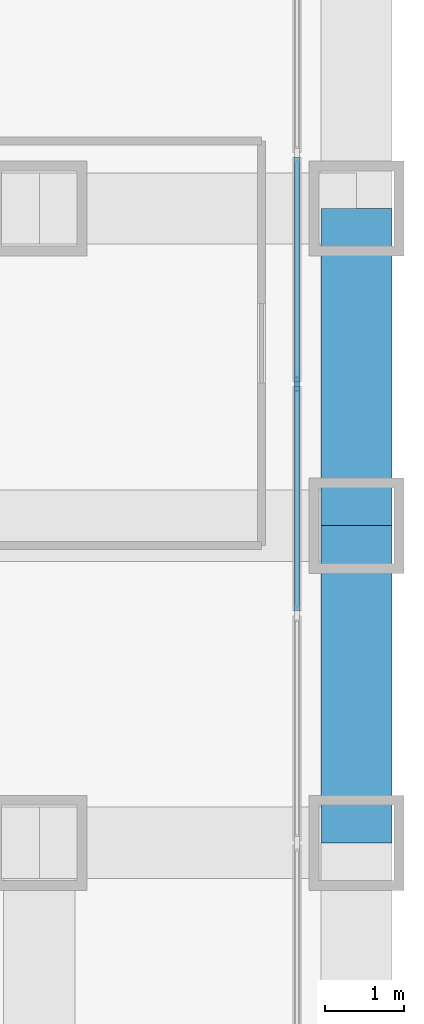
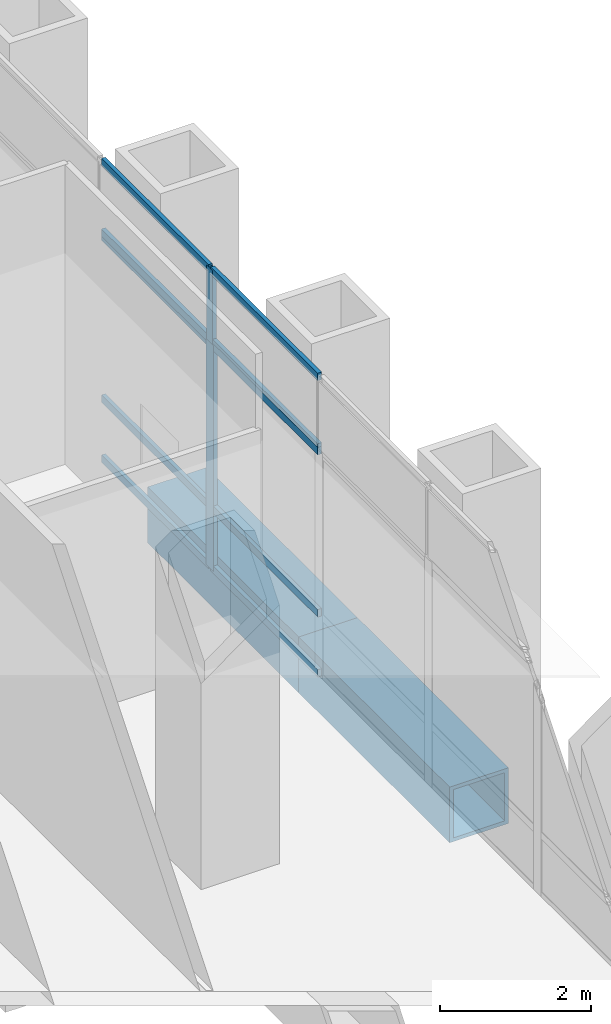
# One storey, part 7 of 18: 12 members, 2 beams, 2 elements without a shape of their own.
"""IFC4 building model written with IfcOpenShell, lengths in metres."""

from ifc_helpers import new_model, si_unit, direction, frame, origin, origin_2d, place, context, subcontext, project, spatial, rectangle, hollow_rectangle, extrude, material, material_profile, profile_set, type_object, element, aggregate, save


model = new_model("IFC4")

# Units and contexts
model_context = context("Model", 3, precision=1e-05, world=origin(), true_north=direction((0.0, 1.0)))
body_context = subcontext(model_context, "Body", "Model", "MODEL_VIEW")
ifc_project = project(units=[si_unit("LENGTHUNIT", "METRE"), si_unit("AREAUNIT", "SQUARE_METRE"), si_unit("VOLUMEUNIT", "CUBIC_METRE"), si_unit("PLANEANGLEUNIT", "RADIAN"), si_unit("MASSUNIT", "GRAM", prefix="KILO")], contexts=[model_context])

# Site, building, storey
site_placement = place(None, origin())
site = spatial("IfcSite", under=ifc_project, at=site_placement, CompositionType="ELEMENT")
building_placement = place(site_placement, origin())
building = spatial("IfcBuilding", under=site, at=building_placement, Name="Rimbunsela Tower", CompositionType="ELEMENT")
storey_placement = place(building_placement, frame((0.0, 0.0, 6.0)))
storey = spatial("IfcBuildingStorey", under=building, at=storey_placement, Name="L01", CompositionType="ELEMENT", Elevation=6.0)

# Beams
ifc_material_1 = material(Name="Steel BJ 55 (fy 410 MPa)", Category="steel")
ifc_material_profile_1 = material_profile(ifc_material_1, hollow_rectangle(XDim=0.89990234375, YDim=0.89990234375, WallThickness=0.06005859375, at=origin_2d()), Name="BOX 900x900x60")
ifc_profile_set_1 = profile_set([ifc_material_profile_1], Name="Steel BJ 55 (fy 410 MPa)")
beam_type = type_object("IfcBeamType", Name="Beam BOX 900x900x60", PredefinedType="BEAM", material=ifc_profile_set_1)
for number, where, z_axis, x_axis, name in (
    (1, (50.0, 20.0, -0.60009765625), (0.0, 1.0, 0.0), (-1.0, 0.0, 0.0), "Beam B1 L01"),
    (2, (50.0, 24.0, -0.60009765625), (0.0, 1.0, 0.0), (-1.0, 0.0, 0.0), "Beam B1 L01"),
):
    element("IfcBeam", number, at=place(storey_placement, frame(where, z_axis=z_axis, x_axis=x_axis)), inside=storey, type_object=beam_type, Name=name, PredefinedType="BEAM", context=body_context, shape_type="SweptSolid", body=[
        extrude(hollow_rectangle(XDim=0.89990234375, YDim=0.89990234375, WallThickness=0.06005859375, at=origin_2d()), origin(), (0.0, 0.0, 1.0), 4.0),
    ])

# Curtain wall, member
ifc_material_2 = material(Name="Aluminium curtain wall", Category="aluminium")
curtain_wall_type_1 = type_object("IfcCurtainWallType", Name="Spandrel wall", PredefinedType="USERDEFINED", material=ifc_material_2)
curtain_wall_1_placement = place(storey_placement, origin())
curtain_wall_1 = element("IfcCurtainWall", 3, at=curtain_wall_1_placement, inside=storey, type_object=curtain_wall_type_1, Name="Spandrel wall L01", ObjectType="SPANDREL WALL", PredefinedType="USERDEFINED")
ifc_material_3 = material(Name="Aluminium mullion", Category="aluminium")
ifc_material_profile_2 = material_profile(ifc_material_3, rectangle(XDim=0.06005859375, YDim=0.159912109375, at=origin_2d()), Name="Mullion 60x160")
ifc_profile_set_2 = profile_set([ifc_material_profile_2], Name="Aluminium mullion")
member_type_1 = type_object("IfcMemberType", Name="Curtain wall mullion 60x160", PredefinedType="MULLION", material=ifc_profile_set_2)
member_1_placement = place(storey_placement, frame((49.25, 25.78564453125, 3.64990234375), z_axis=(0.0, 0.0, 1.0), x_axis=(-1.0, 0.0, 0.0)))
member_1 = element("IfcMember", 4, at=member_1_placement, type_object=member_type_1, Name="CW7 mullion 10", PredefinedType="MULLION", context=body_context, shape_type="SweptSolid", body=[
    extrude(rectangle(XDim=0.06005859375, YDim=0.159912109375, at=origin_2d()), origin(), (0.0, 0.0, 1.0), 1.2001953125),
])

# Curtain wall, members
ifc_material_4 = material(Name="Aluminium curtain wall", Category="aluminium")
curtain_wall_type_2 = type_object("IfcCurtainWallType", Name="Podium glazing", PredefinedType="USERDEFINED", material=ifc_material_4)
curtain_wall_2_placement = place(storey_placement, origin())
curtain_wall_2 = element("IfcCurtainWall", 5, at=curtain_wall_2_placement, inside=storey, type_object=curtain_wall_type_2, Name="Podium glazing L01", ObjectType="PODIUM GLAZING", PredefinedType="USERDEFINED")
ifc_material_5 = material(Name="Aluminium mullion", Category="aluminium")
ifc_material_profile_3 = material_profile(ifc_material_5, rectangle(XDim=0.06005859375, YDim=0.199951171875, at=origin_2d()), Name="Mullion 60x200")
ifc_profile_set_3 = profile_set([ifc_material_profile_3], Name="Aluminium mullion")
member_type_2 = type_object("IfcMemberType", Name="Curtain wall mullion 60x200", PredefinedType="MULLION", material=ifc_profile_set_3)
member_2_placement = place(storey_placement, frame((49.25, 25.78564453125, 0.0), z_axis=(0.0, 0.0, 1.0), x_axis=(-1.0, 0.0, 0.0)))
member_2 = element("IfcMember", 6, at=member_2_placement, type_object=member_type_2, Name="CW1 mullion 10", PredefinedType="MULLION", context=body_context, shape_type="SweptSolid", body=[
    extrude(rectangle(XDim=0.06005859375, YDim=0.199951171875, at=origin_2d()), origin(), (0.0, 0.0, 1.0), 3.64990234375),
])
ifc_material_6 = material(Name="Aluminium transom", Category="aluminium")
ifc_material_profile_4 = material_profile(ifc_material_6, rectangle(XDim=0.06005859375, YDim=0.1201171875, at=origin_2d()), Name="Transom 60x120")
ifc_profile_set_4 = profile_set([ifc_material_profile_4], Name="Aluminium transom")
member_type_3 = type_object("IfcMemberType", Name="Curtain wall transom 60x120", PredefinedType="USERDEFINED", material=ifc_profile_set_4)
member_3_placement = place(storey_placement, frame((49.25, 22.9228515625, 0.030029296875), z_axis=(0.0, 1.0, 0.0), x_axis=(-1.0, 0.0, 0.0)))
member_3 = element("IfcMember", 7, at=member_3_placement, type_object=member_type_3, Name="CW1 transom 9.1", ObjectType="TRANSOM", PredefinedType="USERDEFINED", context=body_context, shape_type="SweptSolid", body=[
    extrude(rectangle(XDim=0.06005859375, YDim=0.1201171875, at=origin_2d()), origin(), (0.0, 0.0, 1.0), 2.832763671875),
])
member_4_placement = place(storey_placement, frame((49.25, 22.9228515625, 1.0), z_axis=(0.0, 1.0, 0.0), x_axis=(-1.0, 0.0, 0.0)))
member_4 = element("IfcMember", 8, at=member_4_placement, type_object=member_type_3, Name="CW1 transom 9.2", ObjectType="TRANSOM", PredefinedType="USERDEFINED", context=body_context, shape_type="SweptSolid", body=[
    extrude(rectangle(XDim=0.06005859375, YDim=0.1201171875, at=origin_2d()), origin(), (0.0, 0.0, 1.0), 2.832763671875),
])
member_5_placement = place(storey_placement, frame((49.25, 22.9228515625, 3.6201171875), z_axis=(0.0, 1.0, 0.0), x_axis=(-1.0, 0.0, 0.0)))
member_5 = element("IfcMember", 9, at=member_5_placement, type_object=member_type_3, Name="CW1 transom 9.3", ObjectType="TRANSOM", PredefinedType="USERDEFINED", context=body_context, shape_type="SweptSolid", body=[
    extrude(rectangle(XDim=0.06005859375, YDim=0.1201171875, at=origin_2d()), origin(), (0.0, 0.0, 1.0), 2.832763671875),
])
member_6_placement = place(storey_placement, frame((49.25, 25.815673828125, 0.030029296875), z_axis=(0.0, 1.0, 0.0), x_axis=(-1.0, 0.0, 0.0)))
member_6 = element("IfcMember", 10, at=member_6_placement, type_object=member_type_3, Name="CW1 transom 10.1", ObjectType="TRANSOM", PredefinedType="USERDEFINED", context=body_context, shape_type="SweptSolid", body=[
    extrude(rectangle(XDim=0.06005859375, YDim=0.1201171875, at=origin_2d()), origin(), (0.0, 0.0, 1.0), 2.8330078125),
])
member_7_placement = place(storey_placement, frame((49.25, 25.815673828125, 1.0), z_axis=(0.0, 1.0, 0.0), x_axis=(-1.0, 0.0, 0.0)))
member_7 = element("IfcMember", 11, at=member_7_placement, type_object=member_type_3, Name="CW1 transom 10.2", ObjectType="TRANSOM", PredefinedType="USERDEFINED", context=body_context, shape_type="SweptSolid", body=[
    extrude(rectangle(XDim=0.06005859375, YDim=0.1201171875, at=origin_2d()), origin(), (0.0, 0.0, 1.0), 2.8330078125),
])
member_8_placement = place(storey_placement, frame((49.25, 25.815673828125, 3.6201171875), z_axis=(0.0, 1.0, 0.0), x_axis=(-1.0, 0.0, 0.0)))
member_8 = element("IfcMember", 12, at=member_8_placement, type_object=member_type_3, Name="CW1 transom 10.3", ObjectType="TRANSOM", PredefinedType="USERDEFINED", context=body_context, shape_type="SweptSolid", body=[
    extrude(rectangle(XDim=0.06005859375, YDim=0.1201171875, at=origin_2d()), origin(), (0.0, 0.0, 1.0), 2.8330078125),
])
aggregate(curtain_wall_2, [member_2, member_3, member_4, member_5, member_6, member_7, member_8])

# Member
member_9_placement = place(storey_placement, frame((49.25, 22.9228515625, 3.679931640625), z_axis=(0.0, 1.0, 0.0), x_axis=(-1.0, 0.0, 0.0)))
member_9 = element("IfcMember", 13, at=member_9_placement, type_object=member_type_3, Name="CW7 transom 9.1", ObjectType="TRANSOM", PredefinedType="USERDEFINED", context=body_context, shape_type="SweptSolid", body=[
    extrude(rectangle(XDim=0.06005859375, YDim=0.1201171875, at=origin_2d()), origin(), (0.0, 0.0, 1.0), 2.832763671875),
])

member_10_placement = place(storey_placement, frame((49.25, 22.9228515625, 4.820068359375), z_axis=(0.0, 1.0, 0.0), x_axis=(-1.0, 0.0, 0.0)))
member_10 = element("IfcMember", 14, at=member_10_placement, type_object=member_type_3, Name="CW7 transom 9.2", ObjectType="TRANSOM", PredefinedType="USERDEFINED", context=body_context, shape_type="SweptSolid", body=[
    extrude(rectangle(XDim=0.06005859375, YDim=0.1201171875, at=origin_2d()), origin(), (0.0, 0.0, 1.0), 2.832763671875),
])

member_11_placement = place(storey_placement, frame((49.25, 25.815673828125, 3.679931640625), z_axis=(0.0, 1.0, 0.0), x_axis=(-1.0, 0.0, 0.0)))
member_11 = element("IfcMember", 15, at=member_11_placement, type_object=member_type_3, Name="CW7 transom 10.1", ObjectType="TRANSOM", PredefinedType="USERDEFINED", context=body_context, shape_type="SweptSolid", body=[
    extrude(rectangle(XDim=0.06005859375, YDim=0.1201171875, at=origin_2d()), origin(), (0.0, 0.0, 1.0), 2.8330078125),
])

member_12_placement = place(storey_placement, frame((49.25, 25.815673828125, 4.820068359375), z_axis=(0.0, 1.0, 0.0), x_axis=(-1.0, 0.0, 0.0)))
member_12 = element("IfcMember", 16, at=member_12_placement, type_object=member_type_3, Name="CW7 transom 10.2", ObjectType="TRANSOM", PredefinedType="USERDEFINED", context=body_context, shape_type="SweptSolid", body=[
    extrude(rectangle(XDim=0.06005859375, YDim=0.1201171875, at=origin_2d()), origin(), (0.0, 0.0, 1.0), 2.8330078125),
])

aggregate(curtain_wall_1, [member_1, member_9, member_10, member_11, member_12])

save(model, "model.ifc")
